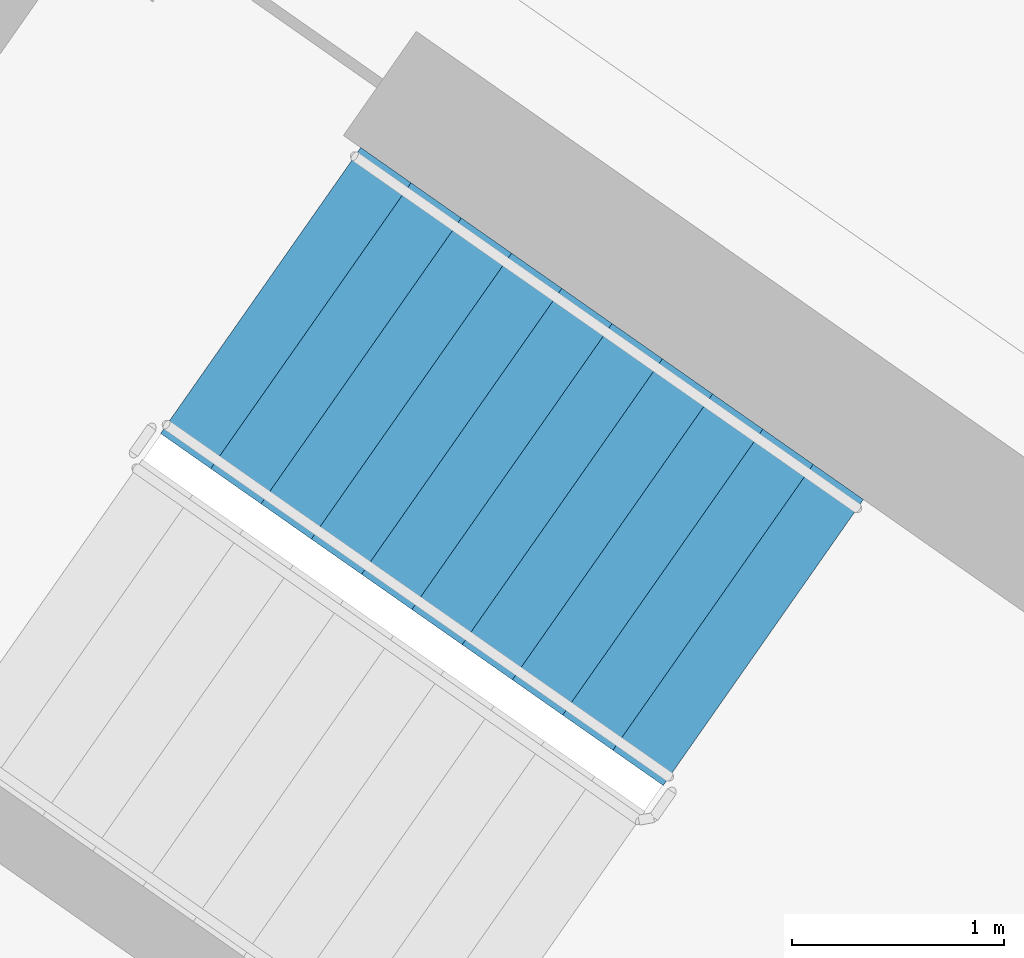
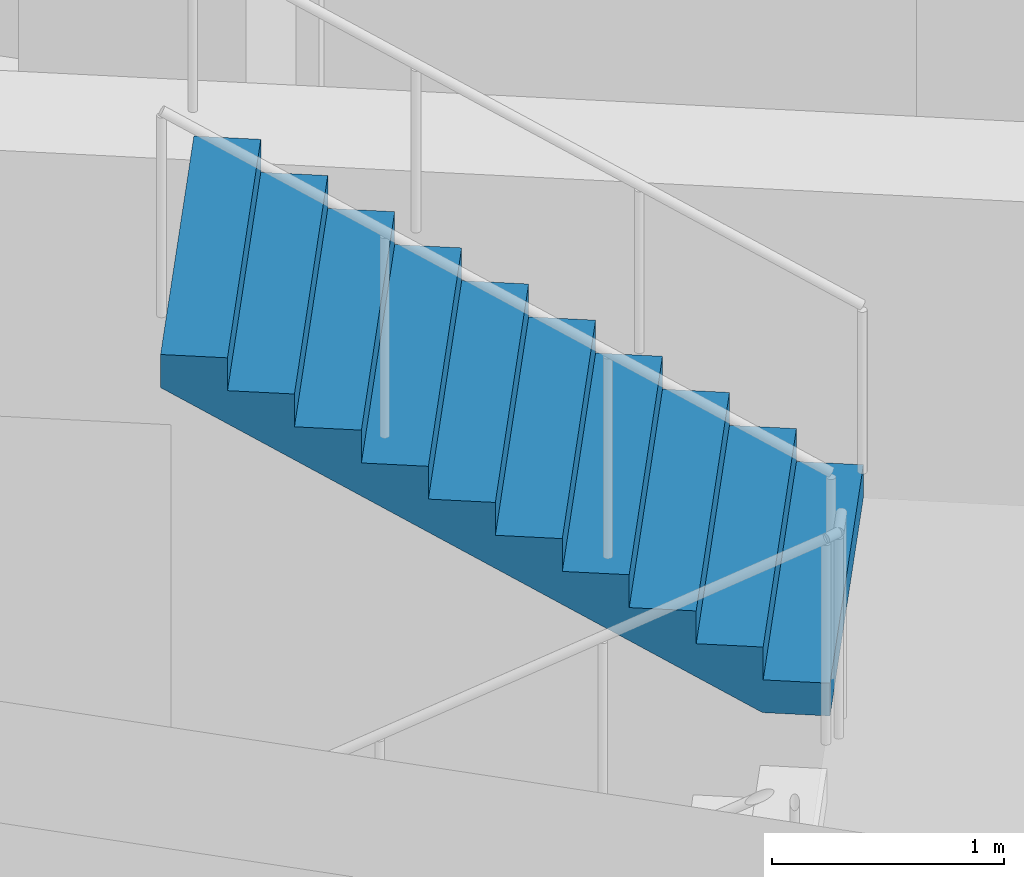
# One storey, part 13 of 28: 1 stair flight, 1 element without a shape of its own.
"""IFC4 building model written with IfcOpenShell, lengths in metres."""

from ifc_helpers import new_model, si_unit, direction, frame, origin, place, context, subcontext, project, spatial, faceted_brep, material, type_object, element, aggregate, save


model = new_model("IFC4")

# Units and contexts
model_context = context("Model", 3, precision=1e-05, world=origin(), true_north=direction((0.0, 1.0)))
body_context = subcontext(model_context, "Body", "Model", "MODEL_VIEW")
ifc_project = project(units=[si_unit("LENGTHUNIT", "METRE"), si_unit("AREAUNIT", "SQUARE_METRE"), si_unit("VOLUMEUNIT", "CUBIC_METRE"), si_unit("PLANEANGLEUNIT", "RADIAN"), si_unit("MASSUNIT", "GRAM", prefix="KILO")], contexts=[model_context])

# Site, building, storey
site_placement = place(None, origin())
site = spatial("IfcSite", under=ifc_project, at=site_placement, CompositionType="ELEMENT")
building_placement = place(site_placement, origin())
building = spatial("IfcBuilding", under=site, at=building_placement, Name="Qamariyya Broadcast Tower", CompositionType="ELEMENT")
storey_placement = place(building_placement, frame((0.0, 0.0, 230.300048828125)))
storey = spatial("IfcBuildingStorey", under=building, at=storey_placement, Name="L55", CompositionType="ELEMENT", Elevation=230.300048828125)

# Stair, stair flight
ifc_material = material(Name="Concrete C50/60", Category="concrete")
stair_type = type_object("IfcStairType", Name="Exit stair 22 risers of 173 mm", PredefinedType="HALF_TURN_STAIR", material=ifc_material)
stair_placement = place(storey_placement, origin())
stair = element("IfcStair", 1, at=stair_placement, inside=storey, type_object=stair_type, Name="L55 Stair W2", PredefinedType="HALF_TURN_STAIR")
stair_flight_type = type_object("IfcStairFlightType", Name="Exit stair flight 11 risers of 173 mm", PredefinedType="STRAIGHT", material=ifc_material)
stair_flight_placement = place(storey_placement, frame((-38.18310546875, -49.3486328125, 1.89990234375), z_axis=(0.0, 0.0, 1.0), x_axis=(-0.819152044289, 0.573576436351, 0.0)))
stair_flight = element("IfcStairFlight", 2, at=stair_flight_placement, type_object=stair_flight_type, Name="ST-W2 flight 2", NumberOfRisers=11, NumberOfTreads=10, PredefinedType="STRAIGHT", RiserHeight=0.172727273, TreadLength=0.29, context=body_context, shape_type="Brep", body=[
    faceted_brep([(0.0, 0.824951171875, 0.0), (0.0, 0.824951171875, 0.172607421875), (0.2900390625, 0.824951171875, 0.172607421875), (0.2900390625, 0.824951171875, 0.345458984375), (0.580078125, 0.824951171875, 0.345458984375), (0.580078125, 0.824951171875, 0.51806640625), (0.8701171875, 0.824951171875, 0.51806640625), (0.8701171875, 0.824951171875, 0.69091796875), (1.159912109375, 0.824951171875, 0.69091796875), (1.159912109375, 0.824951171875, 0.863525390625), (1.449951171875, 0.824951171875, 0.863525390625), (1.449951171875, 0.824951171875, 1.036376953125), (1.739990234375, 0.824951171875, 1.036376953125), (1.739990234375, 0.824951171875, 1.208984375), (2.030029296875, 0.824951171875, 1.208984375), (2.030029296875, 0.824951171875, 1.3818359375), (2.320068359375, 0.824951171875, 1.3818359375), (2.320068359375, 0.824951171875, 1.554443359375), (2.610107421875, 0.824951171875, 1.554443359375), (2.610107421875, 0.824951171875, 1.727294921875), (2.89990234375, 0.824951171875, 1.727294921875), (2.89990234375, 0.824951171875, 1.552734375), (0.29296875, 0.824951171875, 0.0), (0.29296875, -0.824951171875, 0.0), (2.89990234375, -0.824951171875, 1.552734375), (2.89990234375, -0.824951171875, 1.727294921875), (2.610107421875, -0.824951171875, 1.727294921875), (2.610107421875, -0.824951171875, 1.554443359375), (2.320068359375, -0.824951171875, 1.554443359375), (2.320068359375, -0.824951171875, 1.3818359375), (2.030029296875, -0.824951171875, 1.3818359375), (2.030029296875, -0.824951171875, 1.208984375), (1.739990234375, -0.824951171875, 1.208984375), (1.739990234375, -0.824951171875, 1.036376953125), (1.449951171875, -0.824951171875, 1.036376953125), (1.449951171875, -0.824951171875, 0.863525390625), (1.159912109375, -0.824951171875, 0.863525390625), (1.159912109375, -0.824951171875, 0.69091796875), (0.8701171875, -0.824951171875, 0.69091796875), (0.8701171875, -0.824951171875, 0.51806640625), (0.580078125, -0.824951171875, 0.51806640625), (0.580078125, -0.824951171875, 0.345458984375), (0.2900390625, -0.824951171875, 0.345458984375), (0.2900390625, -0.824951171875, 0.172607421875), (0.0, -0.824951171875, 0.172607421875), (0.0, -0.824951171875, 0.0), (0.0, 0.10009765625, 0.0), (0.0, 0.086669921875, 0.0), (0.0, 0.0732421875, 0.0), (0.0, 0.06005859375, 0.0), (0.0, 0.046630859375, 0.0), (0.0, 0.033447265625, 0.0), (0.0, 0.02001953125, 0.0), (0.0, 0.006591796875, 0.0), (0.0, -0.006591796875, 0.0), (0.0, -0.02001953125, 0.0), (0.0, -0.033447265625, 0.0), (0.0, -0.046630859375, 0.0), (0.0, -0.06005859375, 0.0), (0.0, -0.0732421875, 0.0), (0.0, -0.086669921875, 0.0), (0.0, -0.10009765625, 0.0), (0.0, -0.10009765625, 0.172607421875), (0.0, -0.086669921875, 0.172607421875), (0.0, -0.0732421875, 0.172607421875), (0.0, -0.06005859375, 0.172607421875), (0.0, -0.046630859375, 0.172607421875), (0.0, -0.033447265625, 0.172607421875), (0.0, -0.02001953125, 0.172607421875), (0.0, -0.006591796875, 0.172607421875), (0.0, 0.006591796875, 0.172607421875), (0.0, 0.02001953125, 0.172607421875), (0.0, 0.033447265625, 0.172607421875), (0.0, 0.046630859375, 0.172607421875), (0.0, 0.06005859375, 0.172607421875), (0.0, 0.0732421875, 0.172607421875), (0.0, 0.086669921875, 0.172607421875), (0.0, 0.10009765625, 0.172607421875), (0.2900390625, -0.10009765625, 0.172607421875), (0.2900390625, -0.086669921875, 0.172607421875), (0.2900390625, -0.0732421875, 0.172607421875), (0.2900390625, -0.06005859375, 0.172607421875), (0.2900390625, -0.046630859375, 0.172607421875), (0.2900390625, -0.033447265625, 0.172607421875), (0.2900390625, -0.02001953125, 0.172607421875), (0.2900390625, -0.006591796875, 0.172607421875), (0.2900390625, 0.006591796875, 0.172607421875), (0.2900390625, 0.02001953125, 0.172607421875), (0.2900390625, 0.033447265625, 0.172607421875), (0.2900390625, 0.046630859375, 0.172607421875), (0.2900390625, 0.06005859375, 0.172607421875), (0.2900390625, 0.0732421875, 0.172607421875), (0.2900390625, 0.086669921875, 0.172607421875), (0.2900390625, 0.10009765625, 0.172607421875), (0.2900390625, -0.10009765625, 0.345458984375), (0.2900390625, -0.086669921875, 0.345458984375), (0.2900390625, -0.0732421875, 0.345458984375), (0.2900390625, -0.06005859375, 0.345458984375), (0.2900390625, -0.046630859375, 0.345458984375), (0.2900390625, -0.033447265625, 0.345458984375), (0.2900390625, -0.02001953125, 0.345458984375), (0.2900390625, -0.006591796875, 0.345458984375), (0.2900390625, 0.006591796875, 0.345458984375), (0.2900390625, 0.02001953125, 0.345458984375), (0.2900390625, 0.033447265625, 0.345458984375), (0.2900390625, 0.046630859375, 0.345458984375), (0.2900390625, 0.06005859375, 0.345458984375), (0.2900390625, 0.0732421875, 0.345458984375), (0.2900390625, 0.086669921875, 0.345458984375), (0.2900390625, 0.10009765625, 0.345458984375), (0.580078125, -0.10009765625, 0.345458984375), (0.580078125, -0.086669921875, 0.345458984375), (0.580078125, -0.0732421875, 0.345458984375), (0.580078125, -0.06005859375, 0.345458984375), (0.580078125, -0.046630859375, 0.345458984375), (0.580078125, -0.033447265625, 0.345458984375), (0.580078125, -0.02001953125, 0.345458984375), (0.580078125, -0.006591796875, 0.345458984375), (0.580078125, 0.006591796875, 0.345458984375), (0.580078125, 0.02001953125, 0.345458984375), (0.580078125, 0.033447265625, 0.345458984375), (0.580078125, 0.046630859375, 0.345458984375), (0.580078125, 0.06005859375, 0.345458984375), (0.580078125, 0.0732421875, 0.345458984375), (0.580078125, 0.086669921875, 0.345458984375), (0.580078125, 0.10009765625, 0.345458984375), (0.580078125, -0.10009765625, 0.51806640625), (0.580078125, -0.086669921875, 0.51806640625), (0.580078125, -0.0732421875, 0.51806640625), (0.580078125, -0.06005859375, 0.51806640625), (0.580078125, -0.046630859375, 0.51806640625), (0.580078125, -0.033447265625, 0.51806640625), (0.580078125, -0.02001953125, 0.51806640625), (0.580078125, -0.006591796875, 0.51806640625), (0.580078125, 0.006591796875, 0.51806640625), (0.580078125, 0.02001953125, 0.51806640625), (0.580078125, 0.033447265625, 0.51806640625), (0.580078125, 0.046630859375, 0.51806640625), (0.580078125, 0.06005859375, 0.51806640625), (0.580078125, 0.0732421875, 0.51806640625), (0.580078125, 0.086669921875, 0.51806640625), (0.580078125, 0.10009765625, 0.51806640625), (0.8701171875, -0.10009765625, 0.51806640625), (0.8701171875, -0.086669921875, 0.51806640625), (0.8701171875, -0.0732421875, 0.51806640625), (0.8701171875, -0.06005859375, 0.51806640625), (0.8701171875, -0.046630859375, 0.51806640625), (0.8701171875, -0.033447265625, 0.51806640625), (0.8701171875, -0.02001953125, 0.51806640625), (0.8701171875, -0.006591796875, 0.51806640625), (0.8701171875, 0.006591796875, 0.51806640625), (0.8701171875, 0.02001953125, 0.51806640625), (0.8701171875, 0.033447265625, 0.51806640625), (0.8701171875, 0.046630859375, 0.51806640625), (0.8701171875, 0.06005859375, 0.51806640625), (0.8701171875, 0.0732421875, 0.51806640625), (0.8701171875, 0.086669921875, 0.51806640625), (0.8701171875, 0.10009765625, 0.51806640625), (0.8701171875, -0.10009765625, 0.69091796875), (0.8701171875, -0.086669921875, 0.69091796875), (0.8701171875, -0.0732421875, 0.69091796875), (0.8701171875, -0.06005859375, 0.69091796875), (0.8701171875, -0.046630859375, 0.69091796875), (0.8701171875, -0.033447265625, 0.69091796875), (0.8701171875, -0.02001953125, 0.69091796875), (0.8701171875, -0.006591796875, 0.69091796875), (0.8701171875, 0.006591796875, 0.69091796875), (0.8701171875, 0.02001953125, 0.69091796875), (0.8701171875, 0.033447265625, 0.69091796875), (0.8701171875, 0.046630859375, 0.69091796875), (0.8701171875, 0.06005859375, 0.69091796875), (0.8701171875, 0.0732421875, 0.69091796875), (0.8701171875, 0.086669921875, 0.69091796875), (0.8701171875, 0.10009765625, 0.69091796875), (1.159912109375, -0.10009765625, 0.69091796875), (1.159912109375, -0.086669921875, 0.69091796875), (1.159912109375, -0.0732421875, 0.69091796875), (1.159912109375, -0.06005859375, 0.69091796875), (1.159912109375, -0.046630859375, 0.69091796875), (1.159912109375, -0.033447265625, 0.69091796875), (1.159912109375, -0.02001953125, 0.69091796875), (1.159912109375, -0.006591796875, 0.69091796875), (1.159912109375, 0.006591796875, 0.69091796875), (1.159912109375, 0.02001953125, 0.69091796875), (1.159912109375, 0.033447265625, 0.69091796875), (1.159912109375, 0.046630859375, 0.69091796875), (1.159912109375, 0.06005859375, 0.69091796875), (1.159912109375, 0.0732421875, 0.69091796875), (1.159912109375, 0.086669921875, 0.69091796875), (1.159912109375, 0.10009765625, 0.69091796875), (1.159912109375, -0.10009765625, 0.863525390625), (1.159912109375, -0.086669921875, 0.863525390625), (1.159912109375, -0.0732421875, 0.863525390625), (1.159912109375, -0.06005859375, 0.863525390625), (1.159912109375, -0.046630859375, 0.863525390625), (1.159912109375, -0.033447265625, 0.863525390625), (1.159912109375, -0.02001953125, 0.863525390625), (1.159912109375, -0.006591796875, 0.863525390625), (1.159912109375, 0.006591796875, 0.863525390625), (1.159912109375, 0.02001953125, 0.863525390625), (1.159912109375, 0.033447265625, 0.863525390625), (1.159912109375, 0.046630859375, 0.863525390625), (1.159912109375, 0.06005859375, 0.863525390625), (1.159912109375, 0.0732421875, 0.863525390625), (1.159912109375, 0.086669921875, 0.863525390625), (1.159912109375, 0.10009765625, 0.863525390625), (1.449951171875, -0.10009765625, 0.863525390625), (1.449951171875, -0.086669921875, 0.863525390625), (1.449951171875, -0.0732421875, 0.863525390625), (1.449951171875, -0.06005859375, 0.863525390625), (1.449951171875, -0.046630859375, 0.863525390625), (1.449951171875, -0.033447265625, 0.863525390625), (1.449951171875, -0.02001953125, 0.863525390625), (1.449951171875, -0.006591796875, 0.863525390625), (1.449951171875, 0.006591796875, 0.863525390625), (1.449951171875, 0.02001953125, 0.863525390625), (1.449951171875, 0.033447265625, 0.863525390625), (1.449951171875, 0.046630859375, 0.863525390625), (1.449951171875, 0.06005859375, 0.863525390625), (1.449951171875, 0.0732421875, 0.863525390625), (1.449951171875, 0.086669921875, 0.863525390625), (1.449951171875, 0.10009765625, 0.863525390625), (1.449951171875, -0.10009765625, 1.036376953125), (1.449951171875, -0.086669921875, 1.036376953125), (1.449951171875, -0.0732421875, 1.036376953125), (1.449951171875, -0.06005859375, 1.036376953125), (1.449951171875, -0.046630859375, 1.036376953125), (1.449951171875, -0.033447265625, 1.036376953125), (1.449951171875, -0.02001953125, 1.036376953125), (1.449951171875, -0.006591796875, 1.036376953125), (1.449951171875, 0.006591796875, 1.036376953125), (1.449951171875, 0.02001953125, 1.036376953125), (1.449951171875, 0.033447265625, 1.036376953125), (1.449951171875, 0.046630859375, 1.036376953125), (1.449951171875, 0.06005859375, 1.036376953125), (1.449951171875, 0.0732421875, 1.036376953125), (1.449951171875, 0.086669921875, 1.036376953125), (1.449951171875, 0.10009765625, 1.036376953125), (1.739990234375, -0.10009765625, 1.036376953125), (1.739990234375, -0.086669921875, 1.036376953125), (1.739990234375, -0.0732421875, 1.036376953125), (1.739990234375, -0.06005859375, 1.036376953125), (1.739990234375, -0.046630859375, 1.036376953125), (1.739990234375, -0.033447265625, 1.036376953125), (1.739990234375, -0.02001953125, 1.036376953125), (1.739990234375, -0.006591796875, 1.036376953125), (1.739990234375, 0.006591796875, 1.036376953125), (1.739990234375, 0.02001953125, 1.036376953125), (1.739990234375, 0.033447265625, 1.036376953125), (1.739990234375, 0.046630859375, 1.036376953125), (1.739990234375, 0.06005859375, 1.036376953125), (1.739990234375, 0.0732421875, 1.036376953125), (1.739990234375, 0.086669921875, 1.036376953125), (1.739990234375, 0.10009765625, 1.036376953125), (1.739990234375, -0.10009765625, 1.208984375), (1.739990234375, -0.086669921875, 1.208984375), (1.739990234375, -0.0732421875, 1.208984375), (1.739990234375, -0.06005859375, 1.208984375), (1.739990234375, -0.046630859375, 1.208984375), (1.739990234375, -0.033447265625, 1.208984375), (1.739990234375, -0.02001953125, 1.208984375), (1.739990234375, -0.006591796875, 1.208984375), (1.739990234375, 0.006591796875, 1.208984375), (1.739990234375, 0.02001953125, 1.208984375), (1.739990234375, 0.033447265625, 1.208984375), (1.739990234375, 0.046630859375, 1.208984375), (1.739990234375, 0.06005859375, 1.208984375), (1.739990234375, 0.0732421875, 1.208984375), (1.739990234375, 0.086669921875, 1.208984375), (1.739990234375, 0.10009765625, 1.208984375), (2.030029296875, -0.10009765625, 1.208984375), (2.030029296875, -0.086669921875, 1.208984375), (2.030029296875, -0.0732421875, 1.208984375), (2.030029296875, -0.06005859375, 1.208984375), (2.030029296875, -0.046630859375, 1.208984375), (2.030029296875, -0.033447265625, 1.208984375), (2.030029296875, -0.02001953125, 1.208984375), (2.030029296875, -0.006591796875, 1.208984375), (2.030029296875, 0.006591796875, 1.208984375), (2.030029296875, 0.02001953125, 1.208984375), (2.030029296875, 0.033447265625, 1.208984375), (2.030029296875, 0.046630859375, 1.208984375), (2.030029296875, 0.06005859375, 1.208984375), (2.030029296875, 0.0732421875, 1.208984375), (2.030029296875, 0.086669921875, 1.208984375), (2.030029296875, 0.10009765625, 1.208984375), (2.030029296875, -0.10009765625, 1.3818359375), (2.030029296875, -0.086669921875, 1.3818359375), (2.030029296875, -0.0732421875, 1.3818359375), (2.030029296875, -0.06005859375, 1.3818359375), (2.030029296875, -0.046630859375, 1.3818359375), (2.030029296875, -0.033447265625, 1.3818359375), (2.030029296875, -0.02001953125, 1.3818359375), (2.030029296875, -0.006591796875, 1.3818359375), (2.030029296875, 0.006591796875, 1.3818359375), (2.030029296875, 0.02001953125, 1.3818359375), (2.030029296875, 0.033447265625, 1.3818359375), (2.030029296875, 0.046630859375, 1.3818359375), (2.030029296875, 0.06005859375, 1.3818359375), (2.030029296875, 0.0732421875, 1.3818359375), (2.030029296875, 0.086669921875, 1.3818359375), (2.030029296875, 0.10009765625, 1.3818359375), (2.320068359375, -0.10009765625, 1.3818359375), (2.320068359375, -0.086669921875, 1.3818359375), (2.320068359375, -0.0732421875, 1.3818359375), (2.320068359375, -0.06005859375, 1.3818359375), (2.320068359375, -0.046630859375, 1.3818359375), (2.320068359375, -0.033447265625, 1.3818359375), (2.320068359375, -0.02001953125, 1.3818359375), (2.320068359375, -0.006591796875, 1.3818359375), (2.320068359375, 0.006591796875, 1.3818359375), (2.320068359375, 0.02001953125, 1.3818359375), (2.320068359375, 0.033447265625, 1.3818359375), (2.320068359375, 0.046630859375, 1.3818359375), (2.320068359375, 0.06005859375, 1.3818359375), (2.320068359375, 0.0732421875, 1.3818359375), (2.320068359375, 0.086669921875, 1.3818359375), (2.320068359375, 0.10009765625, 1.3818359375), (2.320068359375, -0.10009765625, 1.554443359375), (2.320068359375, -0.086669921875, 1.554443359375), (2.320068359375, -0.0732421875, 1.554443359375), (2.320068359375, -0.06005859375, 1.554443359375), (2.320068359375, -0.046630859375, 1.554443359375), (2.320068359375, -0.033447265625, 1.554443359375), (2.320068359375, -0.02001953125, 1.554443359375), (2.320068359375, -0.006591796875, 1.554443359375), (2.320068359375, 0.006591796875, 1.554443359375), (2.320068359375, 0.02001953125, 1.554443359375), (2.320068359375, 0.033447265625, 1.554443359375), (2.320068359375, 0.046630859375, 1.554443359375), (2.320068359375, 0.06005859375, 1.554443359375), (2.320068359375, 0.0732421875, 1.554443359375), (2.320068359375, 0.086669921875, 1.554443359375), (2.320068359375, 0.10009765625, 1.554443359375), (2.610107421875, -0.10009765625, 1.554443359375), (2.610107421875, -0.086669921875, 1.554443359375), (2.610107421875, -0.0732421875, 1.554443359375), (2.610107421875, -0.06005859375, 1.554443359375), (2.610107421875, -0.046630859375, 1.554443359375), (2.610107421875, -0.033447265625, 1.554443359375), (2.610107421875, -0.02001953125, 1.554443359375), (2.610107421875, -0.006591796875, 1.554443359375), (2.610107421875, 0.006591796875, 1.554443359375), (2.610107421875, 0.02001953125, 1.554443359375), (2.610107421875, 0.033447265625, 1.554443359375), (2.610107421875, 0.046630859375, 1.554443359375), (2.610107421875, 0.06005859375, 1.554443359375), (2.610107421875, 0.0732421875, 1.554443359375), (2.610107421875, 0.086669921875, 1.554443359375), (2.610107421875, 0.10009765625, 1.554443359375), (2.610107421875, -0.10009765625, 1.727294921875), (2.610107421875, -0.086669921875, 1.727294921875), (2.610107421875, -0.0732421875, 1.727294921875), (2.610107421875, -0.06005859375, 1.727294921875), (2.610107421875, -0.046630859375, 1.727294921875), (2.610107421875, -0.033447265625, 1.727294921875), (2.610107421875, -0.02001953125, 1.727294921875), (2.610107421875, -0.006591796875, 1.727294921875), (2.610107421875, 0.006591796875, 1.727294921875), (2.610107421875, 0.02001953125, 1.727294921875), (2.610107421875, 0.033447265625, 1.727294921875), (2.610107421875, 0.046630859375, 1.727294921875), (2.610107421875, 0.06005859375, 1.727294921875), (2.610107421875, 0.0732421875, 1.727294921875), (2.610107421875, 0.086669921875, 1.727294921875), (2.610107421875, 0.10009765625, 1.727294921875), (2.89990234375, -0.10009765625, 1.727294921875), (2.89990234375, -0.086669921875, 1.727294921875), (2.89990234375, -0.0732421875, 1.727294921875), (2.89990234375, -0.06005859375, 1.727294921875), (2.89990234375, -0.046630859375, 1.727294921875), (2.89990234375, -0.033447265625, 1.727294921875), (2.89990234375, -0.02001953125, 1.727294921875), (2.89990234375, -0.006591796875, 1.727294921875), (2.89990234375, 0.006591796875, 1.727294921875), (2.89990234375, 0.02001953125, 1.727294921875), (2.89990234375, 0.033447265625, 1.727294921875), (2.89990234375, 0.046630859375, 1.727294921875), (2.89990234375, 0.06005859375, 1.727294921875), (2.89990234375, 0.0732421875, 1.727294921875), (2.89990234375, 0.086669921875, 1.727294921875), (2.89990234375, 0.10009765625, 1.727294921875), (2.89990234375, -0.10009765625, 1.552734375), (2.89990234375, -0.086669921875, 1.552734375), (2.89990234375, -0.0732421875, 1.552734375), (2.89990234375, -0.06005859375, 1.552734375), (2.89990234375, -0.046630859375, 1.552734375), (2.89990234375, -0.033447265625, 1.552734375), (2.89990234375, -0.02001953125, 1.552734375), (2.89990234375, -0.006591796875, 1.552734375), (2.89990234375, 0.006591796875, 1.552734375), (2.89990234375, 0.02001953125, 1.552734375), (2.89990234375, 0.033447265625, 1.552734375), (2.89990234375, 0.046630859375, 1.552734375), (2.89990234375, 0.06005859375, 1.552734375), (2.89990234375, 0.0732421875, 1.552734375), (2.89990234375, 0.086669921875, 1.552734375), (2.89990234375, 0.10009765625, 1.552734375), (0.29296875, -0.10009765625, 0.0), (0.29296875, -0.086669921875, 0.0), (0.29296875, -0.0732421875, 0.0), (0.29296875, -0.06005859375, 0.0), (0.29296875, -0.046630859375, 0.0), (0.29296875, -0.033447265625, 0.0), (0.29296875, -0.02001953125, 0.0), (0.29296875, -0.006591796875, 0.0), (0.29296875, 0.006591796875, 0.0), (0.29296875, 0.02001953125, 0.0), (0.29296875, 0.033447265625, 0.0), (0.29296875, 0.046630859375, 0.0), (0.29296875, 0.06005859375, 0.0), (0.29296875, 0.0732421875, 0.0), (0.29296875, 0.086669921875, 0.0), (0.29296875, 0.10009765625, 0.0)], [[[0, 1, 2, 3, 4, 5, 6, 7, 8, 9, 10, 11, 12, 13, 14, 15, 16, 17, 18, 19, 20, 21, 22]], [[23, 24, 25, 26, 27, 28, 29, 30, 31, 32, 33, 34, 35, 36, 37, 38, 39, 40, 41, 42, 43, 44, 45]], [[0, 46, 47, 48, 49, 50, 51, 52, 53, 54, 55, 56, 57, 58, 59, 60, 61, 45, 44, 62, 63, 64, 65, 66, 67, 68, 69, 70, 71, 72, 73, 74, 75, 76, 77, 1]], [[1, 77, 76, 75, 74, 73, 72, 71, 70, 69, 68, 67, 66, 65, 64, 63, 62, 44, 43, 78, 79, 80, 81, 82, 83, 84, 85, 86, 87, 88, 89, 90, 91, 92, 93, 2]], [[2, 93, 92, 91, 90, 89, 88, 87, 86, 85, 84, 83, 82, 81, 80, 79, 78, 43, 42, 94, 95, 96, 97, 98, 99, 100, 101, 102, 103, 104, 105, 106, 107, 108, 109, 3]], [[3, 109, 108, 107, 106, 105, 104, 103, 102, 101, 100, 99, 98, 97, 96, 95, 94, 42, 41, 110, 111, 112, 113, 114, 115, 116, 117, 118, 119, 120, 121, 122, 123, 124, 125, 4]], [[4, 125, 124, 123, 122, 121, 120, 119, 118, 117, 116, 115, 114, 113, 112, 111, 110, 41, 40, 126, 127, 128, 129, 130, 131, 132, 133, 134, 135, 136, 137, 138, 139, 140, 141, 5]], [[5, 141, 140, 139, 138, 137, 136, 135, 134, 133, 132, 131, 130, 129, 128, 127, 126, 40, 39, 142, 143, 144, 145, 146, 147, 148, 149, 150, 151, 152, 153, 154, 155, 156, 157, 6]], [[6, 157, 156, 155, 154, 153, 152, 151, 150, 149, 148, 147, 146, 145, 144, 143, 142, 39, 38, 158, 159, 160, 161, 162, 163, 164, 165, 166, 167, 168, 169, 170, 171, 172, 173, 7]], [[7, 173, 172, 171, 170, 169, 168, 167, 166, 165, 164, 163, 162, 161, 160, 159, 158, 38, 37, 174, 175, 176, 177, 178, 179, 180, 181, 182, 183, 184, 185, 186, 187, 188, 189, 8]], [[8, 189, 188, 187, 186, 185, 184, 183, 182, 181, 180, 179, 178, 177, 176, 175, 174, 37, 36, 190, 191, 192, 193, 194, 195, 196, 197, 198, 199, 200, 201, 202, 203, 204, 205, 9]], [[9, 205, 204, 203, 202, 201, 200, 199, 198, 197, 196, 195, 194, 193, 192, 191, 190, 36, 35, 206, 207, 208, 209, 210, 211, 212, 213, 214, 215, 216, 217, 218, 219, 220, 221, 10]], [[10, 221, 220, 219, 218, 217, 216, 215, 214, 213, 212, 211, 210, 209, 208, 207, 206, 35, 34, 222, 223, 224, 225, 226, 227, 228, 229, 230, 231, 232, 233, 234, 235, 236, 237, 11]], [[11, 237, 236, 235, 234, 233, 232, 231, 230, 229, 228, 227, 226, 225, 224, 223, 222, 34, 33, 238, 239, 240, 241, 242, 243, 244, 245, 246, 247, 248, 249, 250, 251, 252, 253, 12]], [[12, 253, 252, 251, 250, 249, 248, 247, 246, 245, 244, 243, 242, 241, 240, 239, 238, 33, 32, 254, 255, 256, 257, 258, 259, 260, 261, 262, 263, 264, 265, 266, 267, 268, 269, 13]], [[13, 269, 268, 267, 266, 265, 264, 263, 262, 261, 260, 259, 258, 257, 256, 255, 254, 32, 31, 270, 271, 272, 273, 274, 275, 276, 277, 278, 279, 280, 281, 282, 283, 284, 285, 14]], [[14, 285, 284, 283, 282, 281, 280, 279, 278, 277, 276, 275, 274, 273, 272, 271, 270, 31, 30, 286, 287, 288, 289, 290, 291, 292, 293, 294, 295, 296, 297, 298, 299, 300, 301, 15]], [[15, 301, 300, 299, 298, 297, 296, 295, 294, 293, 292, 291, 290, 289, 288, 287, 286, 30, 29, 302, 303, 304, 305, 306, 307, 308, 309, 310, 311, 312, 313, 314, 315, 316, 317, 16]], [[16, 317, 316, 315, 314, 313, 312, 311, 310, 309, 308, 307, 306, 305, 304, 303, 302, 29, 28, 318, 319, 320, 321, 322, 323, 324, 325, 326, 327, 328, 329, 330, 331, 332, 333, 17]], [[17, 333, 332, 331, 330, 329, 328, 327, 326, 325, 324, 323, 322, 321, 320, 319, 318, 28, 27, 334, 335, 336, 337, 338, 339, 340, 341, 342, 343, 344, 345, 346, 347, 348, 349, 18]], [[18, 349, 348, 347, 346, 345, 344, 343, 342, 341, 340, 339, 338, 337, 336, 335, 334, 27, 26, 350, 351, 352, 353, 354, 355, 356, 357, 358, 359, 360, 361, 362, 363, 364, 365, 19]], [[19, 365, 364, 363, 362, 361, 360, 359, 358, 357, 356, 355, 354, 353, 352, 351, 350, 26, 25, 366, 367, 368, 369, 370, 371, 372, 373, 374, 375, 376, 377, 378, 379, 380, 381, 20]], [[20, 381, 380, 379, 378, 377, 376, 375, 374, 373, 372, 371, 370, 369, 368, 367, 366, 25, 24, 382, 383, 384, 385, 386, 387, 388, 389, 390, 391, 392, 393, 394, 395, 396, 397, 21]], [[21, 397, 396, 395, 394, 393, 392, 391, 390, 389, 388, 387, 386, 385, 384, 383, 382, 24, 23, 398, 399, 400, 401, 402, 403, 404, 405, 406, 407, 408, 409, 410, 411, 412, 413, 22]], [[22, 413, 412, 411, 410, 409, 408, 407, 406, 405, 404, 403, 402, 401, 400, 399, 398, 23, 45, 61, 60, 59, 58, 57, 56, 55, 54, 53, 52, 51, 50, 49, 48, 47, 46, 0]]]),
])
aggregate(stair, [stair_flight])

save(model, "model.ifc")
